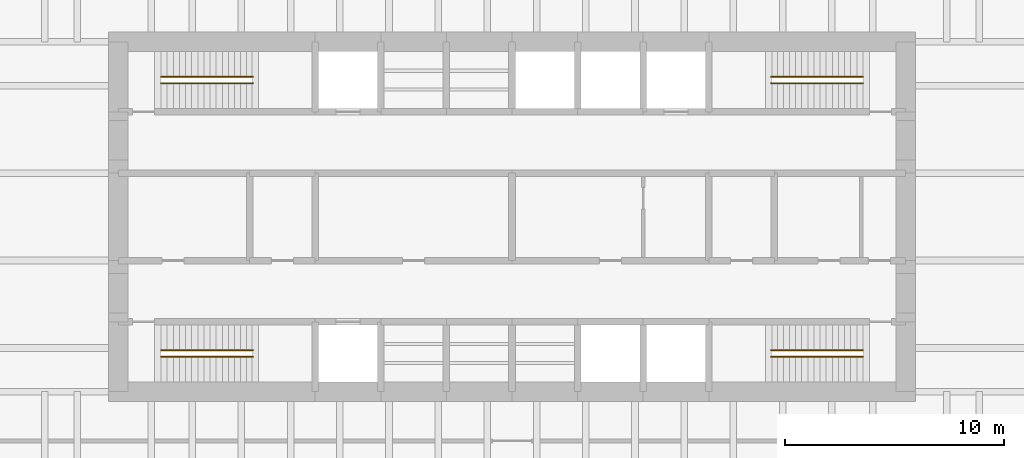
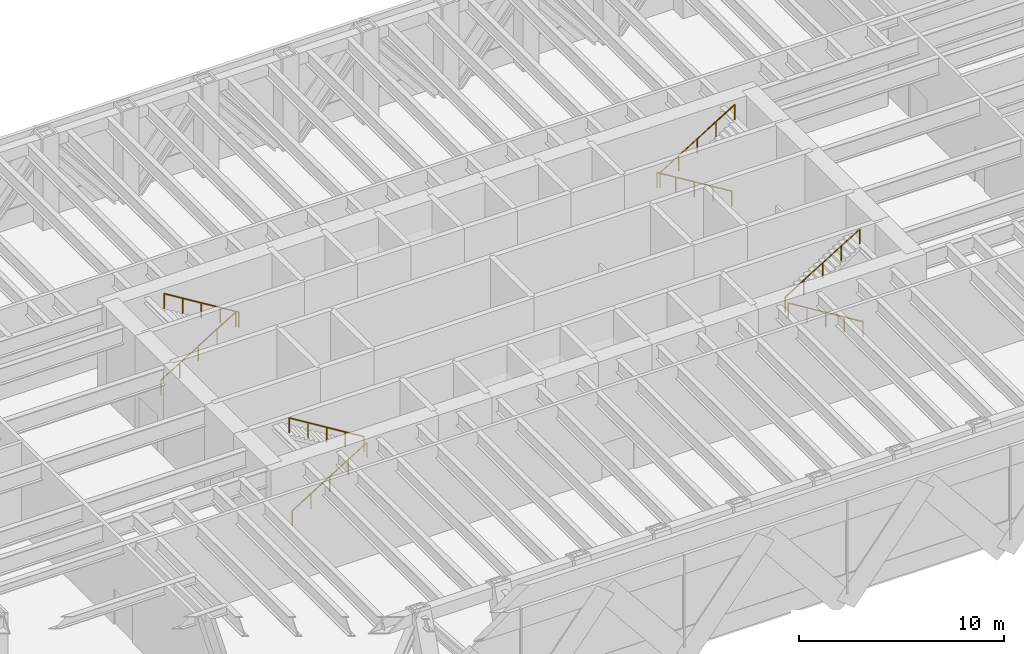
# One storey, part 16 of 16: 8 railings.
"""IFC4 building model written with IfcOpenShell, lengths in metres."""

from ifc_helpers import new_model, si_unit, direction, frame, origin, origin_2d, place, context, subcontext, project, spatial, circle, extrude, material, type_object, element, save


model = new_model("IFC4")

# Units and contexts
model_context = context("Model", 3, precision=1e-05, world=origin(), true_north=direction((0.0, 1.0)))
body_context = subcontext(model_context, "Body", "Model", "MODEL_VIEW")
ifc_project = project(units=[si_unit("LENGTHUNIT", "METRE"), si_unit("AREAUNIT", "SQUARE_METRE"), si_unit("VOLUMEUNIT", "CUBIC_METRE"), si_unit("PLANEANGLEUNIT", "RADIAN"), si_unit("MASSUNIT", "GRAM", prefix="KILO")], contexts=[model_context])

# Site, building, storey
site_placement = place(None, origin())
site = spatial("IfcSite", under=ifc_project, at=site_placement, CompositionType="ELEMENT")
building_placement = place(site_placement, origin())
building = spatial("IfcBuilding", under=site, at=building_placement, Name="Rheinbord Bourse Tower", CompositionType="ELEMENT")
storey_placement = place(building_placement, frame((0.0, 0.0, 95.0)))
storey = spatial("IfcBuildingStorey", under=building, at=storey_placement, Name="L20", CompositionType="ELEMENT", Elevation=95.0)

# Railings
ifc_material = material(Name="Steel handrail", Category="steel")
railing_type = type_object("IfcRailingType", Name="HANDRAIL 900", PredefinedType="HANDRAIL", material=ifc_material)
railing_1_placement = place(storey_placement, frame((19.949951171875, 17.60009765625, 0.172119140625)))
element("IfcRailing", 1, at=railing_1_placement, inside=storey, type_object=railing_type, Name="Handrail", PredefinedType="HANDRAIL", context=body_context, shape_type="SweptSolid", body=[
    extrude(circle(Radius=0.02392578125, at=origin_2d()), frame((0.0, 0.0, 0.8759765625), z_axis=(0.852265002324, 0.0, 0.523110280738), x_axis=(0.0, 1.0, 0.0)), (0.0, 0.0, 1.0), 4.927978515625),
    extrude(circle(Radius=0.02099609375, at=origin_2d()), origin(), (0.0, 0.0, 1.0), 0.851806640625),
    extrude(circle(Radius=0.02099609375, at=origin_2d()), frame((1.050048828125, 0.0, 0.64453125)), (0.0, 0.0, 1.0), 0.851806640625),
    extrude(circle(Radius=0.02099609375, at=origin_2d()), frame((2.10009765625, 0.0, 1.2890625)), (0.0, 0.0, 1.0), 0.851806640625),
    extrude(circle(Radius=0.02099609375, at=origin_2d()), frame((3.14990234375, 0.0, 1.933349609375)), (0.0, 0.0, 1.0), 0.851806640625),
    extrude(circle(Radius=0.02099609375, at=origin_2d()), frame((4.199951171875, 0.0, 2.577880859375)), (0.0, 0.0, 1.0), 0.851806640625),
])
railing_2_placement = place(storey_placement, frame((24.14990234375, 17.89990234375, 2.922119140625)))
element("IfcRailing", 2, at=railing_2_placement, inside=storey, type_object=railing_type, Name="Handrail", PredefinedType="HANDRAIL", context=body_context, shape_type="SweptSolid", body=[
    extrude(circle(Radius=0.02392578125, at=origin_2d()), frame((0.0, 0.0, 0.8759765625), z_axis=(-0.852265002324, 0.0, 0.523110280738), x_axis=(0.0, -1.0, 0.0)), (0.0, 0.0, 1.0), 4.927978515625),
    extrude(circle(Radius=0.02099609375, at=origin_2d()), origin(), (0.0, 0.0, 1.0), 0.851806640625),
    extrude(circle(Radius=0.02099609375, at=origin_2d()), frame((-1.050048828125, 0.0, 0.64453125)), (0.0, 0.0, 1.0), 0.851806640625),
    extrude(circle(Radius=0.02099609375, at=origin_2d()), frame((-2.10009765625, 0.0, 1.2890625)), (0.0, 0.0, 1.0), 0.851806640625),
    extrude(circle(Radius=0.02099609375, at=origin_2d()), frame((-3.14990234375, 0.0, 1.933349609375)), (0.0, 0.0, 1.0), 0.851806640625),
    extrude(circle(Radius=0.02099609375, at=origin_2d()), frame((-4.199951171875, 0.0, 2.577880859375)), (0.0, 0.0, 1.0), 0.851806640625),
])
railing_3_placement = place(storey_placement, frame((19.949951171875, 30.39990234375, 0.172119140625)))
element("IfcRailing", 3, at=railing_3_placement, inside=storey, type_object=railing_type, Name="Handrail", PredefinedType="HANDRAIL", context=body_context, shape_type="SweptSolid", body=[
    extrude(circle(Radius=0.02392578125, at=origin_2d()), frame((0.0, 0.0, 0.8759765625), z_axis=(0.852265002324, 0.0, 0.523110280738), x_axis=(0.0, 1.0, 0.0)), (0.0, 0.0, 1.0), 4.927978515625),
    extrude(circle(Radius=0.02099609375, at=origin_2d()), origin(), (0.0, 0.0, 1.0), 0.851806640625),
    extrude(circle(Radius=0.02099609375, at=origin_2d()), frame((1.050048828125, 0.0, 0.64453125)), (0.0, 0.0, 1.0), 0.851806640625),
    extrude(circle(Radius=0.02099609375, at=origin_2d()), frame((2.10009765625, 0.0, 1.2890625)), (0.0, 0.0, 1.0), 0.851806640625),
    extrude(circle(Radius=0.02099609375, at=origin_2d()), frame((3.14990234375, 0.0, 1.933349609375)), (0.0, 0.0, 1.0), 0.851806640625),
    extrude(circle(Radius=0.02099609375, at=origin_2d()), frame((4.199951171875, 0.0, 2.577880859375)), (0.0, 0.0, 1.0), 0.851806640625),
])
for number, where, name in (
    (4, (24.14990234375, 30.10009765625, 2.922119140625), "Handrail"),
    (5, (52.050048828125, 17.60009765625, 0.172119140625), "Handrail"),
):
    element("IfcRailing", number, at=place(storey_placement, frame(where)), inside=storey, type_object=railing_type, Name=name, PredefinedType="HANDRAIL", context=body_context, shape_type="SweptSolid", body=[
        extrude(circle(Radius=0.02392578125, at=origin_2d()), frame((0.0, 0.0, 0.8759765625), z_axis=(-0.852265002324, 0.0, 0.523110280738), x_axis=(0.0, -1.0, 0.0)), (0.0, 0.0, 1.0), 4.927978515625),
        extrude(circle(Radius=0.02099609375, at=origin_2d()), origin(), (0.0, 0.0, 1.0), 0.851806640625),
        extrude(circle(Radius=0.02099609375, at=origin_2d()), frame((-1.050048828125, 0.0, 0.64453125)), (0.0, 0.0, 1.0), 0.851806640625),
        extrude(circle(Radius=0.02099609375, at=origin_2d()), frame((-2.10009765625, 0.0, 1.2890625)), (0.0, 0.0, 1.0), 0.851806640625),
        extrude(circle(Radius=0.02099609375, at=origin_2d()), frame((-3.14990234375, 0.0, 1.933349609375)), (0.0, 0.0, 1.0), 0.851806640625),
        extrude(circle(Radius=0.02099609375, at=origin_2d()), frame((-4.199951171875, 0.0, 2.577880859375)), (0.0, 0.0, 1.0), 0.851806640625),
    ])
railing_4_placement = place(storey_placement, frame((47.85009765625, 17.89990234375, 2.922119140625)))
element("IfcRailing", 6, at=railing_4_placement, inside=storey, type_object=railing_type, Name="Handrail", PredefinedType="HANDRAIL", context=body_context, shape_type="SweptSolid", body=[
    extrude(circle(Radius=0.02392578125, at=origin_2d()), frame((0.0, 0.0, 0.8759765625), z_axis=(0.852265002324, 0.0, 0.523110280738), x_axis=(0.0, 1.0, 0.0)), (0.0, 0.0, 1.0), 4.927978515625),
    extrude(circle(Radius=0.02099609375, at=origin_2d()), origin(), (0.0, 0.0, 1.0), 0.851806640625),
    extrude(circle(Radius=0.02099609375, at=origin_2d()), frame((1.050048828125, 0.0, 0.64453125)), (0.0, 0.0, 1.0), 0.851806640625),
    extrude(circle(Radius=0.02099609375, at=origin_2d()), frame((2.10009765625, 0.0, 1.2890625)), (0.0, 0.0, 1.0), 0.851806640625),
    extrude(circle(Radius=0.02099609375, at=origin_2d()), frame((3.14990234375, 0.0, 1.933349609375)), (0.0, 0.0, 1.0), 0.851806640625),
    extrude(circle(Radius=0.02099609375, at=origin_2d()), frame((4.199951171875, 0.0, 2.577880859375)), (0.0, 0.0, 1.0), 0.851806640625),
])
railing_5_placement = place(storey_placement, frame((52.050048828125, 30.39990234375, 0.172119140625)))
element("IfcRailing", 7, at=railing_5_placement, inside=storey, type_object=railing_type, Name="Handrail", PredefinedType="HANDRAIL", context=body_context, shape_type="SweptSolid", body=[
    extrude(circle(Radius=0.02392578125, at=origin_2d()), frame((0.0, 0.0, 0.8759765625), z_axis=(-0.852265002324, 0.0, 0.523110280738), x_axis=(0.0, -1.0, 0.0)), (0.0, 0.0, 1.0), 4.927978515625),
    extrude(circle(Radius=0.02099609375, at=origin_2d()), origin(), (0.0, 0.0, 1.0), 0.851806640625),
    extrude(circle(Radius=0.02099609375, at=origin_2d()), frame((-1.050048828125, 0.0, 0.64453125)), (0.0, 0.0, 1.0), 0.851806640625),
    extrude(circle(Radius=0.02099609375, at=origin_2d()), frame((-2.10009765625, 0.0, 1.2890625)), (0.0, 0.0, 1.0), 0.851806640625),
    extrude(circle(Radius=0.02099609375, at=origin_2d()), frame((-3.14990234375, 0.0, 1.933349609375)), (0.0, 0.0, 1.0), 0.851806640625),
    extrude(circle(Radius=0.02099609375, at=origin_2d()), frame((-4.199951171875, 0.0, 2.577880859375)), (0.0, 0.0, 1.0), 0.851806640625),
])
railing_6_placement = place(storey_placement, frame((47.85009765625, 30.10009765625, 2.922119140625)))
element("IfcRailing", 8, at=railing_6_placement, inside=storey, type_object=railing_type, Name="Handrail", PredefinedType="HANDRAIL", context=body_context, shape_type="SweptSolid", body=[
    extrude(circle(Radius=0.02392578125, at=origin_2d()), frame((0.0, 0.0, 0.8759765625), z_axis=(0.852265002324, 0.0, 0.523110280738), x_axis=(0.0, 1.0, 0.0)), (0.0, 0.0, 1.0), 4.927978515625),
    extrude(circle(Radius=0.02099609375, at=origin_2d()), origin(), (0.0, 0.0, 1.0), 0.851806640625),
    extrude(circle(Radius=0.02099609375, at=origin_2d()), frame((1.050048828125, 0.0, 0.64453125)), (0.0, 0.0, 1.0), 0.851806640625),
    extrude(circle(Radius=0.02099609375, at=origin_2d()), frame((2.10009765625, 0.0, 1.2890625)), (0.0, 0.0, 1.0), 0.851806640625),
    extrude(circle(Radius=0.02099609375, at=origin_2d()), frame((3.14990234375, 0.0, 1.933349609375)), (0.0, 0.0, 1.0), 0.851806640625),
    extrude(circle(Radius=0.02099609375, at=origin_2d()), frame((4.199951171875, 0.0, 2.577880859375)), (0.0, 0.0, 1.0), 0.851806640625),
])

save(model, "model.ifc")
